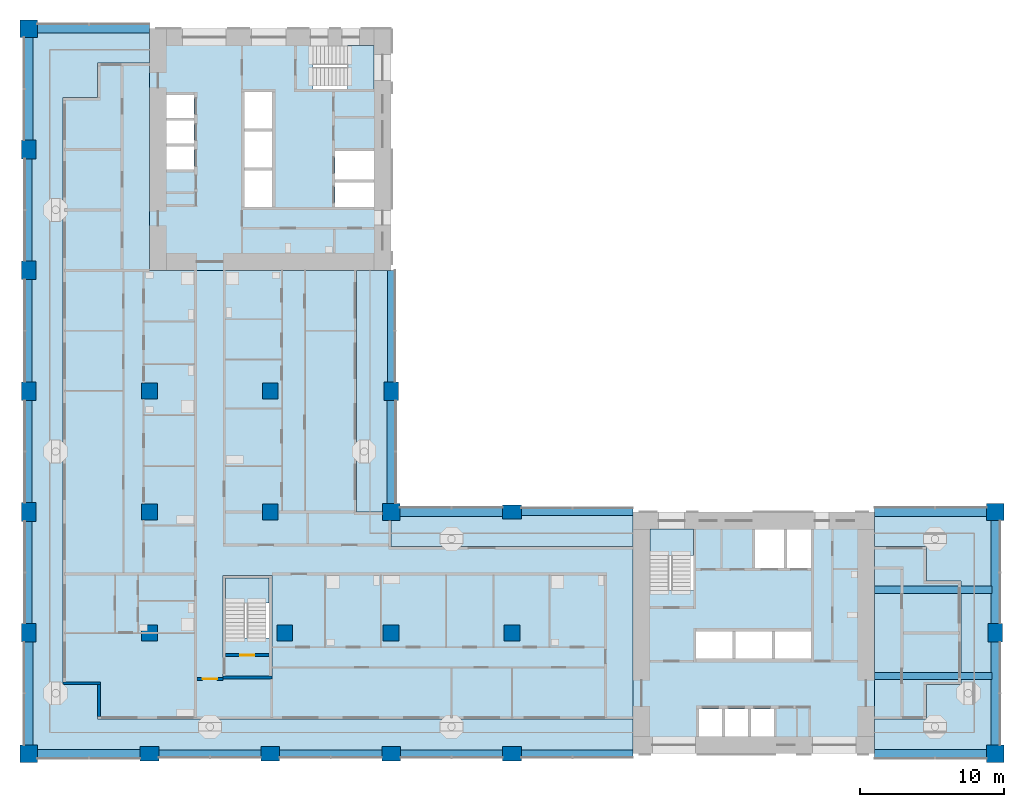
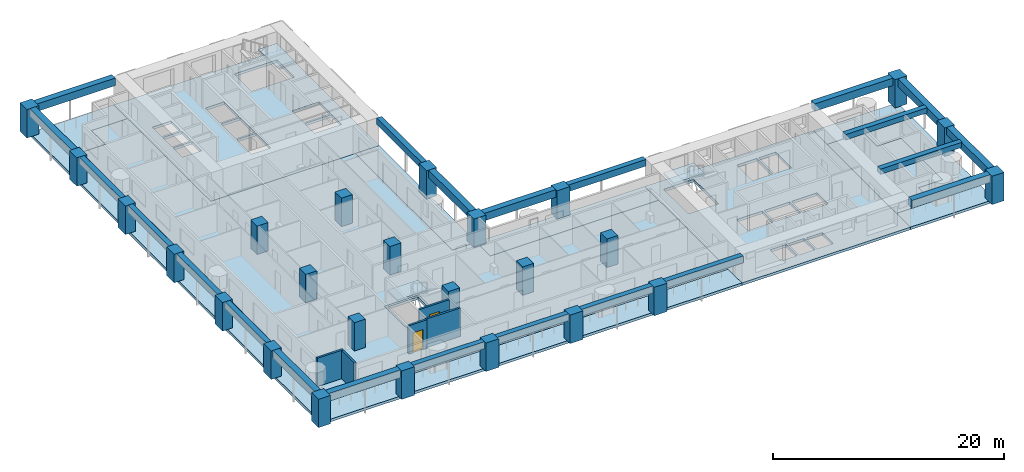
# One storey, part 1 of 18: 25 columns, 22 beams, 12 slabs, 5 walls, 2 doors, 2 openings, 3 elements without a shape of their own.
"""IFC4 building model written with IfcOpenShell, lengths in metres."""

from ifc_helpers import new_model, si_unit, direction, frame, frame_2d, origin, origin_2d, place, context, subcontext, project, spatial, polyline, rectangle, outline, extrude, material, layer, layer_set, material_profile, profile_set, type_object, element, fill, aggregate, save


model = new_model("IFC4")

# Units and contexts
model_context = context("Model", 3, precision=1e-05, world=origin(), true_north=direction((0.0, 1.0)))
body_context = subcontext(model_context, "Body", "Model", "MODEL_VIEW")
ifc_project = project(units=[si_unit("LENGTHUNIT", "METRE"), si_unit("AREAUNIT", "SQUARE_METRE"), si_unit("VOLUMEUNIT", "CUBIC_METRE"), si_unit("PLANEANGLEUNIT", "RADIAN"), si_unit("MASSUNIT", "GRAM", prefix="KILO")], contexts=[model_context])

# Site, building, storey
site_placement = place(None, origin())
site = spatial("IfcSite", under=ifc_project, at=site_placement, CompositionType="ELEMENT")
building_placement = place(site_placement, origin())
building = spatial("IfcBuilding", under=site, at=building_placement, Name="Vermilion Gate Residences", CompositionType="ELEMENT")
storey_placement = place(building_placement, frame((0.0, 0.0, 137.199951171875)))
storey = spatial("IfcBuildingStorey", under=building, at=storey_placement, Name="L35", CompositionType="ELEMENT", Elevation=137.199951171875)

# Columns
ifc_material_1 = material(Name="Concrete C70", Category="concrete")
ifc_material_profile_1 = material_profile(ifc_material_1, rectangle(XDim=1.10009765625, YDim=1.10009765625, at=origin_2d()), Name="RC-1100x1100")
ifc_profile_set_1 = profile_set([ifc_material_profile_1], Name="Concrete C70")
column_type_1 = type_object("IfcColumnType", Name="RC COLUMN 1100 X 1100 C70", PredefinedType="COLUMN", material=ifc_profile_set_1)
for number, where, z_axis, x_axis, name in (
    (1, (8.39990234375, 16.800048828125, 0.0), (0.0, 0.0, 1.0), (1.0, 0.0, 0.0), "Column 2-C L35"),
    (2, (8.39990234375, 25.199951171875, 0.0), (0.0, 0.0, 1.0), (1.0, 0.0, 0.0), "Column 2-D L35"),
    (3, (8.39990234375, 33.60009765625, 0.0), (0.0, 0.0, 1.0), (1.0, 0.0, 0.0), "Column 2-E L35"),
    (4, (17.800048828125, 16.800048828125, 0.0), (0.0, 0.0, 1.0), (1.0, 0.0, 0.0), "Column 3-C L35"),
    (5, (16.800048828125, 25.199951171875, 0.0), (0.0, 0.0, 1.0), (1.0, 0.0, 0.0), "Column 3-D L35"),
    (6, (16.800048828125, 33.60009765625, 0.0), (0.0, 0.0, 1.0), (1.0, 0.0, 0.0), "Column 3-E L35"),
    (7, (25.199951171875, 16.800048828125, 0.0), (0.0, 0.0, 1.0), (1.0, 0.0, 0.0), "Column 4-C L35"),
    (8, (33.60009765625, 16.800048828125, 0.0), (0.0, 0.0, 1.0), (1.0, 0.0, 0.0), "Column 5-C L35"),
):
    element("IfcColumn", number, at=place(storey_placement, frame(where, z_axis=z_axis, x_axis=x_axis)), inside=storey, type_object=column_type_1, Name=name, PredefinedType="COLUMN", context=body_context, shape_type="SweptSolid", body=[
        extrude(rectangle(XDim=1.10009765625, YDim=1.10009765625, at=origin_2d()), origin(), (0.0, 0.0, 1.0), 3.0),
    ])
ifc_material_2 = material(Name="Concrete C70", Category="concrete")
ifc_material_profile_2 = material_profile(ifc_material_2, rectangle(XDim=1.199951171875, YDim=1.199951171875, at=origin_2d()), Name="RC-1200x1200")
ifc_profile_set_2 = profile_set([ifc_material_profile_2], Name="Concrete C70")
column_type_2 = type_object("IfcColumnType", Name="RC COLUMN 1200 X 1200 C70", PredefinedType="COLUMN", material=ifc_profile_set_2)
for number, where, z_axis, x_axis, name in (
    (9, (0.0, 8.39990234375, 0.0), (0.0, 0.0, 1.0), (1.0, 0.0, 0.0), "Column 1-B L35"),
    (10, (0.0, 58.800048828125, 0.0), (0.0, 0.0, 1.0), (1.0, 0.0, 0.0), "Column 1-H L35"),
    (11, (25.199951171875, 25.199951171875, 0.0), (0.0, 0.0, 1.0), (1.0, 0.0, 0.0), "Column 4-D L35"),
    (12, (67.199951171875, 8.39990234375, 0.0), (0.0, 0.0, 1.0), (1.0, 0.0, 0.0), "Column 9-B L35"),
    (13, (67.199951171875, 25.199951171875, 0.0), (0.0, 0.0, 1.0), (1.0, 0.0, 0.0), "Column 9-D L35"),
):
    element("IfcColumn", number, at=place(storey_placement, frame(where, z_axis=z_axis, x_axis=x_axis)), inside=storey, type_object=column_type_2, Name=name, PredefinedType="COLUMN", context=body_context, shape_type="SweptSolid", body=[
        extrude(rectangle(XDim=1.199951171875, YDim=1.199951171875, at=origin_2d()), origin(), (0.0, 0.0, 1.0), 3.0),
    ])
ifc_material_3 = material(Name="Concrete C70", Category="concrete")
ifc_material_profile_3 = material_profile(ifc_material_3, rectangle(XDim=1.300048828125, YDim=1.0, at=origin_2d()), Name="RC-1300x1000")
ifc_profile_set_3 = profile_set([ifc_material_profile_3], Name="Concrete C70")
column_type_3 = type_object("IfcColumnType", Name="RC COLUMN 1300 X 1000 C70", PredefinedType="COLUMN", material=ifc_profile_set_3)
for number, where, z_axis, x_axis, name in (
    (14, (0.0, 16.800048828125, 0.0), (0.0, 0.0, 1.0), (0.0, 1.0, 0.0), "Column 1-C L35"),
    (15, (0.0, 25.199951171875, 0.0), (0.0, 0.0, 1.0), (0.0, 1.0, 0.0), "Column 1-D L35"),
    (16, (0.0, 33.60009765625, 0.0), (0.0, 0.0, 1.0), (0.0, 1.0, 0.0), "Column 1-E L35"),
    (17, (0.0, 42.0, 0.0), (0.0, 0.0, 1.0), (0.0, 1.0, 0.0), "Column 1-F L35"),
    (18, (0.0, 50.39990234375, 0.0), (0.0, 0.0, 1.0), (0.0, 1.0, 0.0), "Column 1-G L35"),
    (19, (8.39990234375, 8.39990234375, 0.0), (0.0, 0.0, 1.0), (1.0, 0.0, 0.0), "Column 2-B L35"),
    (20, (16.800048828125, 8.39990234375, 0.0), (0.0, 0.0, 1.0), (1.0, 0.0, 0.0), "Column 3-B L35"),
    (21, (25.199951171875, 8.39990234375, 0.0), (0.0, 0.0, 1.0), (1.0, 0.0, 0.0), "Column 4-B L35"),
    (22, (25.199951171875, 33.60009765625, 0.0), (0.0, 0.0, 1.0), (0.0, 1.0, 0.0), "Column 4-E L35"),
    (23, (33.60009765625, 8.39990234375, 0.0), (0.0, 0.0, 1.0), (1.0, 0.0, 0.0), "Column 5-B L35"),
    (24, (33.60009765625, 25.199951171875, 0.0), (0.0, 0.0, 1.0), (1.0, 0.0, 0.0), "Column 5-D L35"),
    (25, (67.199951171875, 16.800048828125, 0.0), (0.0, 0.0, 1.0), (0.0, 1.0, 0.0), "Column 9-C L35"),
):
    element("IfcColumn", number, at=place(storey_placement, frame(where, z_axis=z_axis, x_axis=x_axis)), inside=storey, type_object=column_type_3, Name=name, PredefinedType="COLUMN", context=body_context, shape_type="SweptSolid", body=[
        extrude(rectangle(XDim=1.300048828125, YDim=1.0, at=origin_2d()), origin(), (0.0, 0.0, 1.0), 3.0),
    ])

# Beams
ifc_material_4 = material(Name="Concrete C60 red-oxide pigmented", Category="concrete")
ifc_material_profile_4 = material_profile(ifc_material_4, rectangle(XDim=0.60009765625, YDim=0.800048828125, at=origin_2d()), Name="RC-600x800")
ifc_profile_set_4 = profile_set([ifc_material_profile_4], Name="Concrete C60 red-oxide pigmented")
beam_type_1 = type_object("IfcBeamType", Name="RC CORNER EDGE BEAM 600 X 800 C60", PredefinedType="BEAM", material=ifc_profile_set_4)
for number, where, z_axis, x_axis, name in (
    (26, (0.60009765625, 8.39990234375, 2.60009765625), (1.0, 0.0, 0.0), (0.0, 1.0, 0.0), "Corner edge beam L35 1"),
    (27, (0.0, 9.0, 2.60009765625), (0.0, 1.0, 0.0), (-1.0, 0.0, 0.0), "Corner edge beam L35 2"),
):
    element("IfcBeam", number, at=place(storey_placement, frame(where, z_axis=z_axis, x_axis=x_axis)), inside=storey, type_object=beam_type_1, Name=name, PredefinedType="BEAM", context=body_context, shape_type="SweptSolid", body=[
        extrude(rectangle(XDim=0.60009765625, YDim=0.800048828125, at=origin_2d()), origin(), (0.0, 0.0, 1.0), 7.14990234375),
    ])
beam_1_placement = place(storey_placement, frame((0.60009765625, 58.800048828125, 2.60009765625), z_axis=(1.0, 0.0, 0.0), x_axis=(0.0, 1.0, 0.0)))
element("IfcBeam", 28, at=beam_1_placement, inside=storey, type_object=beam_type_1, Name="Corner edge beam L35 7", PredefinedType="BEAM", context=body_context, shape_type="SweptSolid", body=[
    extrude(rectangle(XDim=0.60009765625, YDim=0.800048828125, at=origin_2d()), origin(), (0.0, 0.0, 1.0), 7.7998046875),
])
for number, where, z_axis, x_axis, name in (
    (29, (0.0, 51.050048828125, 2.60009765625), (0.0, 1.0, 0.0), (-1.0, 0.0, 0.0), "Corner edge beam L35 8"),
    (30, (25.199951171875, 25.800048828125, 2.60009765625), (0.0, 1.0, 0.0), (-1.0, 0.0, 0.0), "Corner edge beam L35 11"),
    (31, (25.800048828125, 25.199951171875, 2.60009765625), (1.0, 0.0, 0.0), (0.0, 1.0, 0.0), "Corner edge beam L35 14"),
):
    element("IfcBeam", number, at=place(storey_placement, frame(where, z_axis=z_axis, x_axis=x_axis)), inside=storey, type_object=beam_type_1, Name=name, PredefinedType="BEAM", context=body_context, shape_type="SweptSolid", body=[
        extrude(rectangle(XDim=0.60009765625, YDim=0.800048828125, at=origin_2d()), origin(), (0.0, 0.0, 1.0), 7.14990234375),
    ])
beam_2_placement = place(storey_placement, frame((58.800048828125, 8.39990234375, 2.60009765625), z_axis=(1.0, 0.0, 0.0), x_axis=(0.0, 1.0, 0.0)))
element("IfcBeam", 32, at=beam_2_placement, inside=storey, type_object=beam_type_1, Name="Corner edge beam L35 17", PredefinedType="BEAM", context=body_context, shape_type="SweptSolid", body=[
    extrude(rectangle(XDim=0.60009765625, YDim=0.800048828125, at=origin_2d()), origin(), (0.0, 0.0, 1.0), 7.800048828125),
])
beam_3_placement = place(storey_placement, frame((67.199951171875, 9.0, 2.60009765625), z_axis=(0.0, 1.0, 0.0), x_axis=(-1.0, 0.0, 0.0)))
element("IfcBeam", 33, at=beam_3_placement, inside=storey, type_object=beam_type_1, Name="Corner edge beam L35 18", PredefinedType="BEAM", context=body_context, shape_type="SweptSolid", body=[
    extrude(rectangle(XDim=0.60009765625, YDim=0.800048828125, at=origin_2d()), origin(), (0.0, 0.0, 1.0), 7.14990234375),
])
beam_4_placement = place(storey_placement, frame((67.199951171875, 17.449951171875, 2.60009765625), z_axis=(0.0, 1.0, 0.0), x_axis=(-1.0, 0.0, 0.0)))
element("IfcBeam", 34, at=beam_4_placement, inside=storey, type_object=beam_type_1, Name="Corner edge beam L35 19", PredefinedType="BEAM", context=body_context, shape_type="SweptSolid", body=[
    extrude(rectangle(XDim=0.60009765625, YDim=0.800048828125, at=origin_2d()), origin(), (0.0, 0.0, 1.0), 7.150146484375),
])
beam_5_placement = place(storey_placement, frame((58.800048828125, 25.199951171875, 2.60009765625), z_axis=(1.0, 0.0, 0.0), x_axis=(0.0, 1.0, 0.0)))
element("IfcBeam", 35, at=beam_5_placement, inside=storey, type_object=beam_type_1, Name="Corner edge beam L35 20", PredefinedType="BEAM", context=body_context, shape_type="SweptSolid", body=[
    extrude(rectangle(XDim=0.60009765625, YDim=0.800048828125, at=origin_2d()), origin(), (0.0, 0.0, 1.0), 7.800048828125),
])
ifc_material_5 = material(Name="Concrete C60 red-oxide pigmented", Category="concrete")
ifc_material_profile_5 = material_profile(ifc_material_5, rectangle(XDim=0.5, YDim=0.699951171875, at=origin_2d()), Name="RC-500x700")
ifc_profile_set_5 = profile_set([ifc_material_profile_5], Name="Concrete C60 red-oxide pigmented")
beam_type_2 = type_object("IfcBeamType", Name="RC EDGE BEAM 500 X 700 C60", PredefinedType="BEAM", material=ifc_profile_set_5)
beam_6_placement = place(storey_placement, frame((0.0, 17.449951171875, 2.650146484375), z_axis=(0.0, 1.0, 0.0), x_axis=(-1.0, 0.0, 0.0)))
element("IfcBeam", 36, at=beam_6_placement, inside=storey, type_object=beam_type_2, Name="Edge beam L35 3", PredefinedType="BEAM", context=body_context, shape_type="SweptSolid", body=[
    extrude(rectangle(XDim=0.5, YDim=0.699951171875, at=origin_2d()), origin(), (0.0, 0.0, 1.0), 7.10009765625),
])
beam_7_placement = place(storey_placement, frame((0.0, 25.85009765625, 2.650146484375), z_axis=(0.0, 1.0, 0.0), x_axis=(-1.0, 0.0, 0.0)))
element("IfcBeam", 37, at=beam_7_placement, inside=storey, type_object=beam_type_2, Name="Edge beam L35 4", PredefinedType="BEAM", context=body_context, shape_type="SweptSolid", body=[
    extrude(rectangle(XDim=0.5, YDim=0.699951171875, at=origin_2d()), origin(), (0.0, 0.0, 1.0), 7.099853515625),
])
for number, where, z_axis, x_axis, name in (
    (38, (0.0, 34.25, 2.650146484375), (0.0, 1.0, 0.0), (-1.0, 0.0, 0.0), "Edge beam L35 5"),
    (39, (0.0, 42.64990234375, 2.650146484375), (0.0, 1.0, 0.0), (-1.0, 0.0, 0.0), "Edge beam L35 6"),
):
    element("IfcBeam", number, at=place(storey_placement, frame(where, z_axis=z_axis, x_axis=x_axis)), inside=storey, type_object=beam_type_2, Name=name, PredefinedType="BEAM", context=body_context, shape_type="SweptSolid", body=[
        extrude(rectangle(XDim=0.5, YDim=0.699951171875, at=origin_2d()), origin(), (0.0, 0.0, 1.0), 7.10009765625),
    ])
beam_8_placement = place(storey_placement, frame((9.050048828125, 8.39990234375, 2.650146484375), z_axis=(1.0, 0.0, 0.0), x_axis=(0.0, 1.0, 0.0)))
element("IfcBeam", 40, at=beam_8_placement, inside=storey, type_object=beam_type_2, Name="Edge beam L35 9", PredefinedType="BEAM", context=body_context, shape_type="SweptSolid", body=[
    extrude(rectangle(XDim=0.5, YDim=0.699951171875, at=origin_2d()), origin(), (0.0, 0.0, 1.0), 7.099853515625),
])
beam_9_placement = place(storey_placement, frame((17.449951171875, 8.39990234375, 2.650146484375), z_axis=(1.0, 0.0, 0.0), x_axis=(0.0, 1.0, 0.0)))
element("IfcBeam", 41, at=beam_9_placement, inside=storey, type_object=beam_type_2, Name="Edge beam L35 10", PredefinedType="BEAM", context=body_context, shape_type="SweptSolid", body=[
    extrude(rectangle(XDim=0.5, YDim=0.699951171875, at=origin_2d()), origin(), (0.0, 0.0, 1.0), 7.10009765625),
])
beam_10_placement = place(storey_placement, frame((25.199951171875, 34.25, 2.650146484375), z_axis=(0.0, 1.0, 0.0), x_axis=(-1.0, 0.0, 0.0)))
element("IfcBeam", 42, at=beam_10_placement, inside=storey, type_object=beam_type_2, Name="Edge beam L35 12", PredefinedType="BEAM", context=body_context, shape_type="SweptSolid", body=[
    extrude(rectangle(XDim=0.5, YDim=0.699951171875, at=origin_2d()), origin(), (0.0, 0.0, 1.0), 7.75),
])
beam_11_placement = place(storey_placement, frame((25.85009765625, 8.39990234375, 2.650146484375), z_axis=(1.0, 0.0, 0.0), x_axis=(0.0, 1.0, 0.0)))
element("IfcBeam", 43, at=beam_11_placement, inside=storey, type_object=beam_type_2, Name="Edge beam L35 13", PredefinedType="BEAM", context=body_context, shape_type="SweptSolid", body=[
    extrude(rectangle(XDim=0.5, YDim=0.699951171875, at=origin_2d()), origin(), (0.0, 0.0, 1.0), 7.099853515625),
])
for number, where, z_axis, x_axis, name in (
    (44, (34.25, 8.39990234375, 2.650146484375), (1.0, 0.0, 0.0), (0.0, 1.0, 0.0), "Edge beam L35 15"),
    (45, (34.25, 25.199951171875, 2.650146484375), (1.0, 0.0, 0.0), (0.0, 1.0, 0.0), "Edge beam L35 16"),
):
    element("IfcBeam", number, at=place(storey_placement, frame(where, z_axis=z_axis, x_axis=x_axis)), inside=storey, type_object=beam_type_2, Name=name, PredefinedType="BEAM", context=body_context, shape_type="SweptSolid", body=[
        extrude(rectangle(XDim=0.5, YDim=0.699951171875, at=origin_2d()), origin(), (0.0, 0.0, 1.0), 7.75),
    ])
ifc_material_6 = material(Name="Concrete C60", Category="concrete")
ifc_material_profile_6 = material_profile(ifc_material_6, rectangle(XDim=0.5, YDim=0.550048828125, at=origin_2d()), Name="RC-500x550")
ifc_profile_set_6 = profile_set([ifc_material_profile_6], Name="Concrete C60")
beam_type_3 = type_object("IfcBeamType", Name="RC WING BEAM 500 X 550 C60", PredefinedType="BEAM", material=ifc_profile_set_6)
for number, where, z_axis, x_axis, name in (
    (46, (58.800048828125, 13.800048828125, 2.72509765625), (1.0, 0.0, 0.0), (0.0, 1.0, 0.0), "Wing-end beam L35 1"),
    (47, (58.800048828125, 19.800048828125, 2.72509765625), (1.0, 0.0, 0.0), (0.0, 1.0, 0.0), "Wing-end beam L35 2"),
):
    element("IfcBeam", number, at=place(storey_placement, frame(where, z_axis=z_axis, x_axis=x_axis)), inside=storey, type_object=beam_type_3, Name=name, PredefinedType="BEAM", context=body_context, shape_type="SweptSolid", body=[
        extrude(rectangle(XDim=0.5, YDim=0.550048828125, at=origin_2d()), origin(), (0.0, 0.0, 1.0), 8.14990234375),
    ])

# Slabs
ifc_material_7 = material(Name="Concrete C50", Category="concrete")
ifc_layer_1 = layer(ifc_material_7, 0.280029296875)
ifc_layer_set_1 = layer_set([ifc_layer_1], Name="RC CORE FLOOR SLAB 280 C50")
slab_type_1 = type_object("IfcSlabType", Name="RC CORE FLOOR SLAB 280 C50", PredefinedType="FLOOR", material=ifc_layer_set_1)
slab_1_placement = place(storey_placement, frame((0.0, 0.0, -0.280029296875)))
element("IfcSlab", 48, at=slab_1_placement, inside=storey, type_object=slab_type_1, Name="Core floor slab A35", PredefinedType="FLOOR", context=body_context, shape_type="SweptSolid", body=[
    extrude(outline(polyline([(42.0, 8.39990234375), (58.800048828125, 8.39990234375), (58.800048828125, 25.199951171875), (42.0, 25.199951171875), (42.0, 8.39990234375)]), holes=[polyline([(46.60009765625, 11.5), (48.199951171875, 11.5), (48.199951171875, 9.60009765625), (46.60009765625, 9.60009765625), (46.60009765625, 11.5)]), polyline([(48.39990234375, 11.5), (50.0, 11.5), (50.0, 9.60009765625), (48.39990234375, 9.60009765625), (48.39990234375, 11.5)]), polyline([(50.199951171875, 11.5), (51.800048828125, 11.5), (51.800048828125, 9.60009765625), (50.199951171875, 9.60009765625), (50.199951171875, 11.5)]), polyline([(46.39990234375, 16.89990234375), (48.933349609375, 16.89990234375), (48.933349609375, 15.0), (46.39990234375, 15.0), (46.39990234375, 16.89990234375)]), polyline([(49.13330078125, 16.89990234375), (51.666748046875, 16.89990234375), (51.666748046875, 15.0), (49.13330078125, 15.0), (49.13330078125, 16.89990234375)]), polyline([(51.86669921875, 16.89990234375), (54.39990234375, 16.89990234375), (54.39990234375, 15.0), (51.86669921875, 15.0), (51.86669921875, 16.89990234375)]), polyline([(43.199951171875, 24.0), (46.199951171875, 24.0), (46.199951171875, 19.75), (43.199951171875, 19.75), (43.199951171875, 24.0)]), polyline([(52.5, 24.0), (52.5, 21.300048828125), (50.5, 21.300048828125), (50.5, 24.0), (52.5, 24.0)]), polyline([(54.39990234375, 24.0), (54.39990234375, 21.300048828125), (52.699951171875, 21.300048828125), (52.699951171875, 24.0), (54.39990234375, 24.0)])]), origin(), (0.0, 0.0, 1.0), 0.280029296875),
])
slab_2_placement = place(storey_placement, frame((0.0, 0.0, -0.280029296875)))
element("IfcSlab", 49, at=slab_2_placement, inside=storey, type_object=slab_type_1, Name="Core floor slab B35", PredefinedType="FLOOR", context=body_context, shape_type="SweptSolid", body=[
    extrude(outline(polyline([(8.39990234375, 42.0), (25.199951171875, 42.0), (25.199951171875, 58.800048828125), (8.39990234375, 58.800048828125), (8.39990234375, 42.0)]), holes=[polyline([(21.300048828125, 48.10009765625), (24.0, 48.10009765625), (24.0, 46.39990234375), (21.300048828125, 46.39990234375), (21.300048828125, 48.10009765625)]), polyline([(15.0, 48.933349609375), (16.89990234375, 48.933349609375), (16.89990234375, 46.39990234375), (15.0, 46.39990234375), (15.0, 48.933349609375)]), polyline([(21.300048828125, 50.300048828125), (24.0, 50.300048828125), (24.0, 48.300048828125), (21.300048828125, 48.300048828125), (21.300048828125, 50.300048828125)]), polyline([(9.60009765625, 50.60009765625), (11.5, 50.60009765625), (11.5, 49.0), (9.60009765625, 49.0), (9.60009765625, 50.60009765625)]), polyline([(15.0, 51.666748046875), (16.89990234375, 51.666748046875), (16.89990234375, 49.13330078125), (15.0, 49.13330078125), (15.0, 51.666748046875)]), polyline([(9.60009765625, 52.39990234375), (11.5, 52.39990234375), (11.5, 50.800048828125), (9.60009765625, 50.800048828125), (9.60009765625, 52.39990234375)]), polyline([(15.0, 54.39990234375), (16.89990234375, 54.39990234375), (16.89990234375, 51.86669921875), (15.0, 51.86669921875), (15.0, 54.39990234375)]), polyline([(11.5, 54.199951171875), (11.5, 52.60009765625), (9.60009765625, 52.60009765625), (9.60009765625, 54.199951171875), (11.5, 54.199951171875)]), polyline([(24.0, 57.60009765625), (24.0, 54.60009765625), (19.75, 54.60009765625), (19.75, 57.60009765625), (24.0, 57.60009765625)])]), origin(), (0.0, 0.0, 1.0), 0.280029296875),
])
slab_3_placement = place(storey_placement, frame((0.0, 0.0, -0.280029296875)))
element("IfcSlab", 50, at=slab_3_placement, inside=storey, type_object=slab_type_1, Name="Apex stair floor slab 35", PredefinedType="FLOOR", context=body_context, shape_type="SweptSolid", body=[
    extrude(outline(polyline([(13.5, 13.60009765625), (16.89990234375, 13.60009765625), (16.89990234375, 20.800048828125), (13.5, 20.800048828125), (13.5, 13.60009765625)]), holes=[polyline([(16.699951171875, 20.60009765625), (16.699951171875, 16.449951171875), (13.699951171875, 16.449951171875), (13.699951171875, 20.60009765625), (16.699951171875, 20.60009765625)])]), origin(), (0.0, 0.0, 1.0), 0.280029296875),
])
ifc_material_8 = material(Name="Concrete C50", Category="concrete")
ifc_layer_2 = layer(ifc_material_8, 0.280029296875)
ifc_layer_set_2 = layer_set([ifc_layer_2], Name="RC FLAT PLATE 280 C50")
slab_type_2 = type_object("IfcSlabType", Name="RC FLAT PLATE 280 C50", PredefinedType="FLOOR", material=ifc_layer_set_2)
slab_4_placement = place(storey_placement, frame((0.0, 0.0, -0.280029296875)))
element("IfcSlab", 51, at=slab_4_placement, inside=storey, type_object=slab_type_2, Name="Floor slab L35", PredefinedType="FLOOR", context=body_context, shape_type="SweptSolid", body=[
    extrude(outline(polyline([(22.800048828125, 25.199951171875), (22.800048828125, 42.0), (8.39990234375, 42.0), (8.39990234375, 56.39990234375), (4.800048828125, 56.39990234375), (4.800048828125, 54.0), (2.39990234375, 54.0), (2.39990234375, 13.199951171875), (4.800048828125, 13.199951171875), (4.800048828125, 10.800048828125), (42.0, 10.800048828125), (42.0, 22.800048828125), (25.199951171875, 22.800048828125), (25.199951171875, 25.199951171875), (22.800048828125, 25.199951171875)]), holes=[polyline([(13.5, 13.60009765625), (13.5, 20.800048828125), (16.89990234375, 20.800048828125), (16.89990234375, 13.60009765625), (13.5, 13.60009765625)])]), origin(), (0.0, 0.0, 1.0), 0.280029296875),
])
slab_5_placement = place(storey_placement, frame((0.0, 0.0, -0.280029296875)))
element("IfcSlab", 52, at=slab_5_placement, inside=storey, type_object=slab_type_2, Name="Floor slab L35", PredefinedType="FLOOR", context=body_context, shape_type="SweptSolid", body=[
    extrude(outline(polyline([(58.800048828125, 22.800048828125), (58.800048828125, 10.800048828125), (62.39990234375, 10.800048828125), (62.39990234375, 13.199951171875), (64.800048828125, 13.199951171875), (64.800048828125, 20.39990234375), (62.39990234375, 20.39990234375), (62.39990234375, 22.800048828125), (58.800048828125, 22.800048828125)])), origin(), (0.0, 0.0, 1.0), 0.280029296875),
])
ifc_material_9 = material(Name="Concrete C50 red-oxide pigmented", Category="concrete")
ifc_layer_3 = layer(ifc_material_9, 0.280029296875)
ifc_layer_set_3 = layer_set([ifc_layer_3], Name="RC LOGGIA SLAB 280 C50")
slab_type_3 = type_object("IfcSlabType", Name="RC LOGGIA SLAB 280 C50", PredefinedType="FLOOR", material=ifc_layer_set_3)
slab_6_placement = place(storey_placement, frame((0.0, 0.0, -0.280029296875)))
element("IfcSlab", 53, at=slab_6_placement, inside=storey, type_object=slab_type_3, Name="Loggia slab L35", PredefinedType="FLOOR", context=body_context, shape_type="SweptSolid", body=[
    extrude(outline(polyline([(0.0, 58.800048828125), (0.0, 8.39990234375), (42.0, 8.39990234375), (42.0, 10.800048828125), (4.800048828125, 10.800048828125), (4.800048828125, 13.199951171875), (2.39990234375, 13.199951171875), (2.39990234375, 54.0), (4.800048828125, 54.0), (4.800048828125, 56.39990234375), (8.39990234375, 56.39990234375), (8.39990234375, 58.800048828125), (0.0, 58.800048828125)])), origin(), (0.0, 0.0, 1.0), 0.280029296875),
])
slab_7_placement = place(storey_placement, frame((0.0, 0.0, -0.280029296875)))
element("IfcSlab", 54, at=slab_7_placement, inside=storey, type_object=slab_type_3, Name="Loggia slab L35", PredefinedType="FLOOR", context=body_context, shape_type="SweptSolid", body=[
    extrude(outline(polyline([(64.800048828125, 20.39990234375), (64.800048828125, 13.199951171875), (62.39990234375, 13.199951171875), (62.39990234375, 10.800048828125), (58.800048828125, 10.800048828125), (58.800048828125, 8.39990234375), (67.199951171875, 8.39990234375), (67.199951171875, 25.199951171875), (58.800048828125, 25.199951171875), (58.800048828125, 22.800048828125), (62.39990234375, 22.800048828125), (62.39990234375, 20.39990234375), (64.800048828125, 20.39990234375)])), origin(), (0.0, 0.0, 1.0), 0.280029296875),
])
slab_8_placement = place(storey_placement, frame((0.0, 0.0, -0.280029296875)))
element("IfcSlab", 55, at=slab_8_placement, inside=storey, type_object=slab_type_3, Name="Loggia slab L35", PredefinedType="FLOOR", context=body_context, shape_type="SweptSolid", body=[
    extrude(outline(polyline([(25.199951171875, 22.800048828125), (42.0, 22.800048828125), (42.0, 25.199951171875), (25.199951171875, 25.199951171875), (25.199951171875, 22.800048828125)])), origin(), (0.0, 0.0, 1.0), 0.280029296875),
])
slab_9_placement = place(storey_placement, frame((0.0, 0.0, -0.280029296875)))
element("IfcSlab", 56, at=slab_9_placement, inside=storey, type_object=slab_type_3, Name="Loggia slab L35", PredefinedType="FLOOR", context=body_context, shape_type="SweptSolid", body=[
    extrude(outline(polyline([(25.199951171875, 25.199951171875), (25.199951171875, 42.0), (22.800048828125, 42.0), (22.800048828125, 25.199951171875), (25.199951171875, 25.199951171875)])), origin(), (0.0, 0.0, 1.0), 0.280029296875),
])

# Stair, slab
ifc_material_10 = material(Name="Concrete C50", Category="concrete")
stair_type = type_object("IfcStairType", Name="SPECIAL ESCAPE STAIR 1300", PredefinedType="HALF_TURN_STAIR", material=ifc_material_10)
stair_1_placement = place(storey_placement, origin())
stair_1 = element("IfcStair", 57, at=stair_1_placement, inside=storey, type_object=stair_type, Name="Special escape stair STA1-35", PredefinedType="HALF_TURN_STAIR")
ifc_material_11 = material(Name="Concrete C50", Category="concrete")
ifc_layer_4 = layer(ifc_material_11, 0.199951171875)
ifc_layer_set_4 = layer_set([ifc_layer_4], Name="STAIR LANDING 200 C50")
slab_type_4 = type_object("IfcSlabType", Name="STAIR LANDING 200 C50", PredefinedType="LANDING", material=ifc_layer_set_4)
slab_10_placement = place(storey_placement, frame((0.0, 0.0, 1.550048828125)))
slab_10 = element("IfcSlab", 58, at=slab_10_placement, type_object=slab_type_4, Name="STA1-35 landing 1", PredefinedType="LANDING", context=body_context, shape_type="SweptSolid", body=[
    extrude(outline(polyline([(46.219970703125, 22.179931640625), (46.219970703125, 24.02001953125), (43.179931640625, 24.02001953125), (43.179931640625, 22.179931640625), (46.219970703125, 22.179931640625)])), origin(), (0.0, 0.0, 1.0), 0.199951171875),
])
aggregate(stair_1, [slab_10])

stair_2_placement = place(storey_placement, origin())
stair_2 = element("IfcStair", 59, at=stair_2_placement, inside=storey, type_object=stair_type, Name="Special escape stair STB1-35", PredefinedType="HALF_TURN_STAIR")
slab_11_placement = place(storey_placement, frame((0.0, 0.0, 1.550048828125)))
slab_11 = element("IfcSlab", 60, at=slab_11_placement, type_object=slab_type_4, Name="STB1-35 landing 1", PredefinedType="LANDING", context=body_context, shape_type="SweptSolid", body=[
    extrude(outline(polyline([(24.02001953125, 54.580078125), (24.02001953125, 57.6201171875), (22.179931640625, 57.6201171875), (22.179931640625, 54.580078125), (24.02001953125, 54.580078125)])), origin(), (0.0, 0.0, 1.0), 0.199951171875),
])
aggregate(stair_2, [slab_11])

stair_3_placement = place(storey_placement, origin())
stair_3 = element("IfcStair", 61, at=stair_3_placement, inside=storey, type_object=stair_type, Name="Special escape stair STC1-35", PredefinedType="HALF_TURN_STAIR")
slab_12_placement = place(storey_placement, frame((0.0, 0.0, 1.550048828125)))
slab_12 = element("IfcSlab", 62, at=slab_12_placement, type_object=slab_type_4, Name="STC1-35 landing 1", PredefinedType="LANDING", context=body_context, shape_type="SweptSolid", body=[
    extrude(outline(polyline([(16.719970703125, 18.8798828125), (16.719970703125, 20.6201171875), (13.679931640625, 20.6201171875), (13.679931640625, 18.8798828125), (16.719970703125, 18.8798828125)])), origin(), (0.0, 0.0, 1.0), 0.199951171875),
])
aggregate(stair_3, [slab_12])

# Walls
ifc_material_12 = material(Name="Insulated steel stud wall with terracotta rainscreen", Category="masonry")
ifc_layer_5 = layer(ifc_material_12, 0.199951171875)
ifc_layer_set_5 = layer_set([ifc_layer_5], Name="EXTERNAL WALL 200 TERRACOTTA RAINSCREEN")
wall_type_1 = type_object("IfcWallType", Name="EXTERNAL WALL 200 TERRACOTTA RAINSCREEN", PredefinedType="SOLIDWALL", material=ifc_layer_set_5)
wall_1_placement = place(storey_placement, frame((2.39990234375, 13.300048828125, 0.0), z_axis=(0.0, 0.0, 1.0), x_axis=(1.0, 0.0, 0.0)))
element("IfcWall", 63, at=wall_1_placement, inside=storey, type_object=wall_type_1, Name="External wall", PredefinedType="SOLIDWALL", context=body_context, shape_type="SweptSolid", body=[
    extrude(rectangle(XDim=2.60009765625, YDim=0.199951171875, at=frame_2d((1.300048828125, 0.0))), origin(), (0.0, 0.0, 1.0), 3.0),
])
wall_2_placement = place(storey_placement, frame((4.89990234375, 13.199951171875, 0.0), z_axis=(0.0, 0.0, 1.0), x_axis=(0.0, -1.0, 0.0)))
element("IfcWall", 64, at=wall_2_placement, inside=storey, type_object=wall_type_1, Name="External wall", PredefinedType="SOLIDWALL", context=body_context, shape_type="SweptSolid", body=[
    extrude(rectangle(XDim=2.199951171875, YDim=0.199951171875, at=frame_2d((1.10009765625, 0.0))), origin(), (0.0, 0.0, 1.0), 3.0),
])

# Wall, opening, door
ifc_material_13 = material(Name="Fire-rated plasterboard on steel studs", Category="steel")
ifc_layer_6 = layer(ifc_material_13, 0.199951171875)
ifc_layer_set_6 = layer_set([ifc_layer_6], Name="PARTY WALL 200 EI 120")
wall_type_2 = type_object("IfcWallType", Name="PARTY WALL 200 EI 120", PredefinedType="PARTITIONING", material=ifc_layer_set_6)
wall_3_placement = place(storey_placement, frame((11.699951171875, 13.60009765625, 0.0), z_axis=(0.0, 0.0, 1.0), x_axis=(1.0, 0.0, 0.0)))
wall_3 = element("IfcWall", 65, at=wall_3_placement, inside=storey, type_object=wall_type_2, Name="Party and corridor wall", PredefinedType="PARTITIONING", context=body_context, shape_type="SweptSolid", body=[
    extrude(rectangle(XDim=1.800048828125, YDim=0.199951171875, at=frame_2d((0.89990234375, 0.0))), origin(), (0.0, 0.0, 1.0), 3.0),
])
opening_1_placement = place(wall_3_placement, frame((0.39990234375, 0.0, 0.0)))
opening_1 = element("IfcOpeningElement", 66, at=opening_1_placement, cuts=wall_3, Name="Opening DA34001", PredefinedType="OPENING", context=body_context, shape_type="SweptSolid", body=[
    extrude(rectangle(XDim=1.0, YDim=2.10009765625, at=frame_2d((0.5, 1.050048828125))), frame((0.0, 0.10986328125, 0.0), z_axis=(0.0, -1.0, 0.0), x_axis=(1.0, 0.0, 0.0)), (0.0, 0.0, 1.0), 0.219970703125),
])
ifc_material_14 = material(Name="Steel", Category="steel")
door_type_1 = type_object("IfcDoorType", Name="ENTRANCE DOOR 1000 X 2100 FD30", OperationType="SINGLE_SWING_LEFT", PredefinedType="DOOR", material=ifc_material_14)
door_1_placement = place(opening_1_placement, frame((1.0, 0.0, 0.0), z_axis=(0.0, 0.0, 1.0), x_axis=(-1.0, 0.0, 0.0)))
door_1 = element("IfcDoor", 67, at=door_1_placement, inside=storey, type_object=door_type_1, Name="Entrance door", OperationType="SINGLE_SWING_RIGHT", OverallHeight=2.10009765625, OverallWidth=1.0, PredefinedType="DOOR", context=body_context, shape_type="SweptSolid", body=[
    extrude(rectangle(XDim=1.0, YDim=2.10009765625, at=frame_2d((0.5, 1.050048828125))), frame((0.0, 0.02490234375, 0.0), z_axis=(0.0, -1.0, 0.0), x_axis=(1.0, 0.0, 0.0)), (0.0, 0.0, 1.0), 0.050048828125),
])
fill(opening_1, door_1)

# Wall
ifc_material_15 = material(Name="Concrete C60", Category="concrete")
ifc_layer_7 = layer(ifc_material_15, 0.199951171875)
ifc_layer_set_7 = layer_set([ifc_layer_7], Name="RC CORE INTERNAL WALL 200 C60")
wall_type_3 = type_object("IfcWallType", Name="RC CORE INTERNAL WALL 200 C60", PredefinedType="SHEAR", material=ifc_layer_set_7)
wall_4_placement = place(storey_placement, frame((13.5, 13.699951171875, 0.0), z_axis=(0.0, 0.0, 1.0), x_axis=(1.0, 0.0, 0.0)))
element("IfcWall", 68, at=wall_4_placement, inside=storey, type_object=wall_type_3, Name="Core internal wall C35-S", PredefinedType="SHEAR", context=body_context, shape_type="SweptSolid", body=[
    extrude(rectangle(XDim=3.39990234375, YDim=0.199951171875, at=frame_2d((1.699951171875, 0.0))), origin(), (0.0, 0.0, 1.0), 3.0),
])

# Wall, opening, door
wall_5_placement = place(storey_placement, frame((13.699951171875, 15.25, 0.0), z_axis=(0.0, 0.0, 1.0), x_axis=(1.0, 0.0, 0.0)))
wall_5 = element("IfcWall", 69, at=wall_5_placement, inside=storey, type_object=wall_type_3, Name="Core internal wall C35-P", PredefinedType="SHEAR", context=body_context, shape_type="SweptSolid", body=[
    extrude(rectangle(XDim=3.0, YDim=0.199951171875, at=frame_2d((1.5, 0.0))), origin(), (0.0, 0.0, 1.0), 3.0),
])
opening_2_placement = place(wall_5_placement, frame((1.0, 0.0, 0.0)))
opening_2 = element("IfcOpeningElement", 70, at=opening_2_placement, cuts=wall_5, Name="Opening DK35202", PredefinedType="OPENING", context=body_context, shape_type="SweptSolid", body=[
    extrude(rectangle(XDim=1.0, YDim=2.10009765625, at=frame_2d((0.5, 1.050048828125))), frame((0.0, 0.10986328125, 0.0), z_axis=(0.0, -1.0, 0.0), x_axis=(1.0, 0.0, 0.0)), (0.0, 0.0, 1.0), 0.219970703125),
])
ifc_material_16 = material(Name="Steel", Category="steel")
door_type_2 = type_object("IfcDoorType", Name="FIRE DOOR FD60 1000 X 2100", OperationType="SINGLE_SWING_LEFT", PredefinedType="DOOR", material=ifc_material_16)
door_2_placement = place(opening_2_placement, origin())
door_2 = element("IfcDoor", 71, at=door_2_placement, inside=storey, type_object=door_type_2, Name="Stair door C35", OperationType="SINGLE_SWING_LEFT", OverallHeight=2.10009765625, OverallWidth=1.0, PredefinedType="DOOR", context=body_context, shape_type="SweptSolid", body=[
    extrude(rectangle(XDim=1.0, YDim=2.10009765625, at=frame_2d((0.5, 1.050048828125))), frame((0.0, 0.02490234375, 0.0), z_axis=(0.0, -1.0, 0.0), x_axis=(1.0, 0.0, 0.0)), (0.0, 0.0, 1.0), 0.050048828125),
])
fill(opening_2, door_2)

save(model, "model.ifc")
